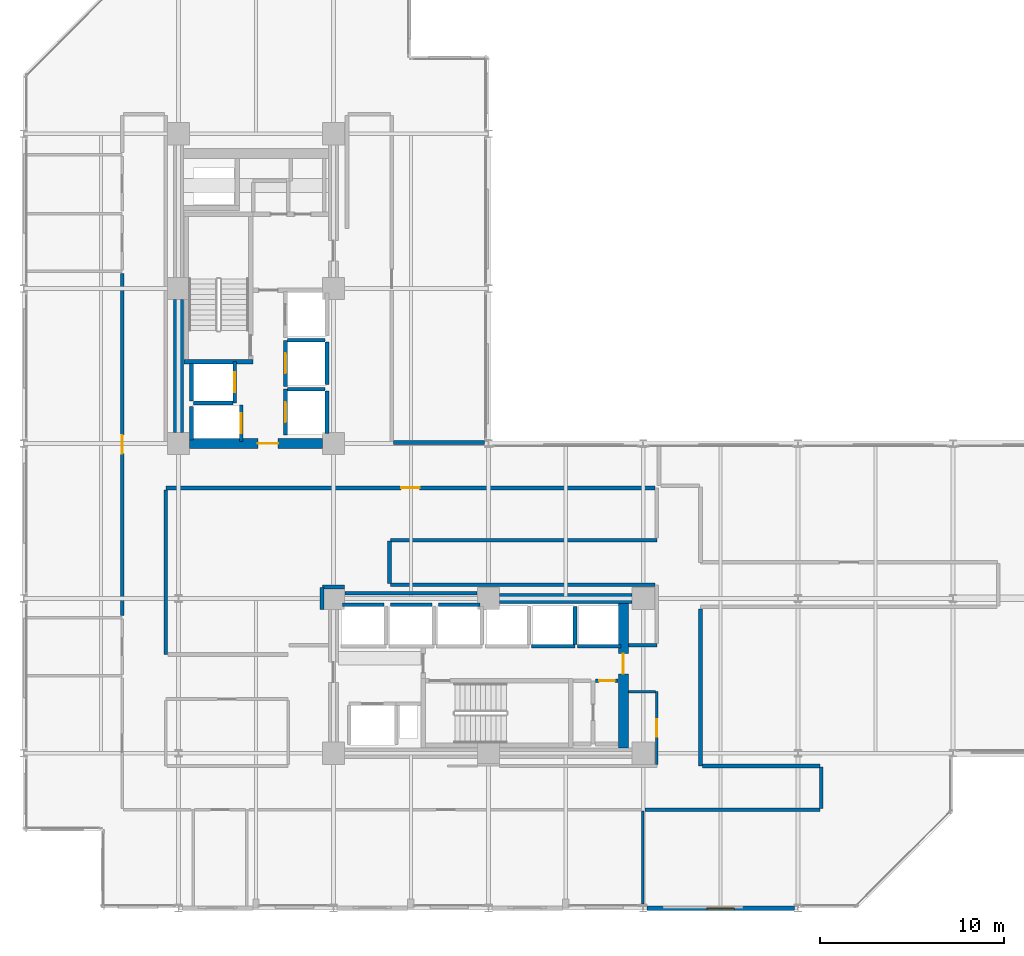
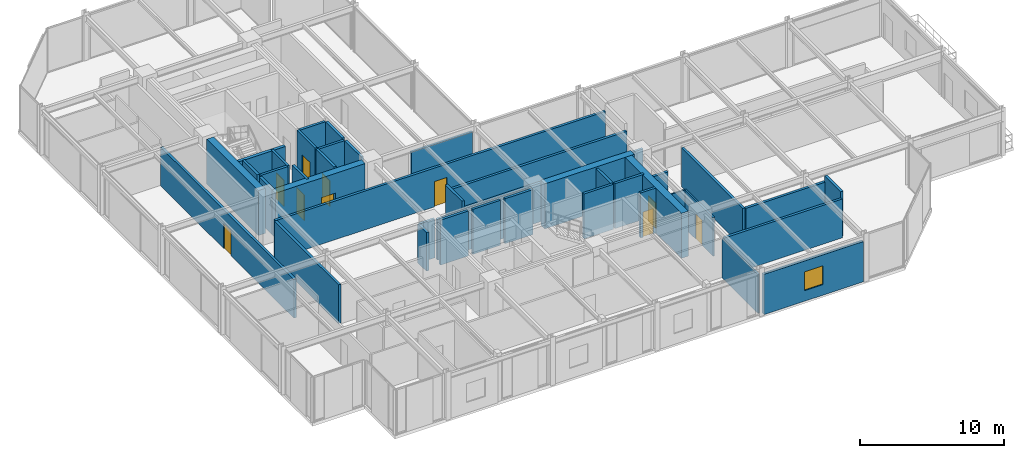
# One storey, part 33 of 38: 42 walls, 10 doors, 1 window, 11 openings.
"""IFC4 building model written with IfcOpenShell, lengths in metres."""

from ifc_helpers import new_model, si_unit, direction, frame, frame_2d, origin, place, context, subcontext, project, spatial, rectangle, extrude, material, layer, layer_set, type_object, element, fill, save


model = new_model("IFC4")

# Units and contexts
model_context = context("Model", 3, precision=1e-05, world=origin(), true_north=direction((0.0, 1.0)))
body_context = subcontext(model_context, "Body", "Model", "MODEL_VIEW")
ifc_project = project(units=[si_unit("LENGTHUNIT", "METRE"), si_unit("AREAUNIT", "SQUARE_METRE"), si_unit("VOLUMEUNIT", "CUBIC_METRE"), si_unit("PLANEANGLEUNIT", "RADIAN"), si_unit("MASSUNIT", "GRAM", prefix="KILO")], contexts=[model_context])

# Site, building, storey
site_placement = place(None, origin())
site = spatial("IfcSite", under=ifc_project, at=site_placement, CompositionType="ELEMENT")
building_placement = place(site_placement, origin())
building = spatial("IfcBuilding", under=site, at=building_placement, Name="Nerrivon Quay Data Exchange", CompositionType="ELEMENT")
storey_placement = place(building_placement, frame((0.0, 0.0, 96.699951171875)))
storey = spatial("IfcBuildingStorey", under=building, at=storey_placement, Name="L22", CompositionType="ELEMENT", Elevation=96.699951171875)

# Wall, opening, window
ifc_material_1 = material(Name="Architectural terracotta precast concrete N50 (50 MPa)", Category="masonry")
ifc_layer_1 = layer(ifc_material_1, 0.239990234375)
ifc_layer_set_1 = layer_set([ifc_layer_1], Name="Architectural terracotta precast concrete N50 (50 MPa)")
wall_type_1 = type_object("IfcWallType", Name="EW-PREC-240", PredefinedType="STANDARD", material=ifc_layer_set_1)
wall_1_placement = place(storey_placement, frame((41.800048828125, 0.0, 0.0), z_axis=(0.0, 0.0, 1.0), x_axis=(-1.0, 0.0, 0.0)))
wall_1 = element("IfcWall", 1, at=wall_1_placement, inside=storey, type_object=wall_type_1, Name="L22 Podium Precast Spandrel Wall 7", PredefinedType="STANDARD", context=body_context, shape_type="SweptSolid", body=[
    extrude(rectangle(XDim=8.0, YDim=0.239990234375, at=frame_2d((4.0, 0.0))), origin(), (0.0, 0.0, 1.0), 3.422119140625),
])
opening_1_placement = place(wall_1_placement, frame((3.25, 0.0, 0.89990234375)))
opening_1 = element("IfcOpeningElement", 2, at=opening_1_placement, cuts=wall_1, Name="Opening WN4", PredefinedType="OPENING", context=body_context, shape_type="SweptSolid", body=[
    extrude(rectangle(XDim=1.5, YDim=1.60009765625, at=frame_2d((0.75, 0.800048828125))), frame((0.0, 0.1298828125, 0.0), z_axis=(0.0, -1.0, 0.0), x_axis=(1.0, 0.0, 0.0)), (0.0, 0.0, 1.0), 0.260009765625),
])
ifc_material_2 = material(Name="Double-glazed low-E solar control glass", Category="glass")
window_type = type_object("IfcWindowType", Name="WIN-W4-1500x1600", PartitioningType="SINGLE_PANEL", PredefinedType="WINDOW", material=ifc_material_2)
window_placement = place(opening_1_placement, origin())
window = element("IfcWindow", 3, at=window_placement, inside=storey, type_object=window_type, Name="L22 Solar Facade Window 7", OverallHeight=1.60009765625, OverallWidth=1.5, PartitioningType="SINGLE_PANEL", PredefinedType="WINDOW", context=body_context, shape_type="SweptSolid", body=[
    extrude(rectangle(XDim=1.5, YDim=1.60009765625, at=frame_2d((0.75, 0.800048828125))), frame((0.0, 0.030029296875, 0.0), z_axis=(0.0, -1.0, 0.0), x_axis=(1.0, 0.0, 0.0)), (0.0, 0.0, 1.0), 0.06005859375),
])
fill(opening_1, window)

# Wall
ifc_material_3 = material(Name="Concrete S65 (65 MPa)", Category="concrete")
ifc_layer_2 = layer(ifc_material_3, 0.550048828125)
ifc_layer_set_2 = layer_set([ifc_layer_2], Name="Concrete S65 (65 MPa)")
wall_type_2 = type_object("IfcWallType", Name="WALL-CW-700", PredefinedType="SHEAR", material=ifc_layer_set_2)
wall_2_placement = place(storey_placement, frame((8.39990234375, 25.800048828125, 0.0), z_axis=(0.0, 0.0, 1.0), x_axis=(0.0, 1.0, 0.0)))
element("IfcWall", 4, at=wall_2_placement, inside=storey, type_object=wall_type_2, Name="L22 West Split-Core Shear Wall WCW-W1", PredefinedType="SHEAR", context=body_context, shape_type="SweptSolid", body=[
    extrude(rectangle(XDim=7.199951171875, YDim=0.550048828125, at=frame_2d((3.60009765625, 0.0))), origin(), (0.0, 0.0, 1.0), 3.824951171875),
])

# Wall, opening, door
wall_3_placement = place(storey_placement, frame((9.0, 25.199951171875, 0.0), z_axis=(0.0, 0.0, 1.0), x_axis=(1.0, 0.0, 0.0)))
wall_3 = element("IfcWall", 5, at=wall_3_placement, inside=storey, type_object=wall_type_2, Name="L22 West Split-Core Shear Wall WCW-S1", PredefinedType="SHEAR", context=body_context, shape_type="SweptSolid", body=[
    extrude(rectangle(XDim=7.199951171875, YDim=0.550048828125, at=frame_2d((3.60009765625, 0.0))), origin(), (0.0, 0.0, 1.0), 3.824951171875),
])
opening_2_placement = place(wall_3_placement, frame((3.699951171875, 0.0, 0.0)))
opening_2 = element("IfcOpeningElement", 6, at=opening_2_placement, cuts=wall_3, Name="Opening FD-120", PredefinedType="OPENING", context=body_context, shape_type="SweptSolid", body=[
    extrude(rectangle(XDim=1.10009765625, YDim=2.14990234375, at=frame_2d((0.550048828125, 1.074951171875))), frame((0.0, 0.284912109375, 0.0), z_axis=(0.0, -1.0, 0.0), x_axis=(1.0, 0.0, 0.0)), (0.0, 0.0, 1.0), 0.570068359375),
])
ifc_material_4 = material(Name="Powder-coated galvanized steel sheet", Category="steel")
door_type_1 = type_object("IfcDoorType", Name="DR-FD120-1100", OperationType="NOTDEFINED", PredefinedType="DOOR", material=ifc_material_4)
door_1_placement = place(opening_2_placement, origin())
door_1 = element("IfcDoor", 7, at=door_1_placement, inside=storey, type_object=door_type_1, Name="L22 West Core Lobby Fire Door", OperationType="SINGLE_SWING_RIGHT", OverallHeight=2.14990234375, OverallWidth=1.10009765625, PredefinedType="DOOR", context=body_context, shape_type="SweptSolid", body=[
    extrude(rectangle(XDim=1.10009765625, YDim=2.14990234375, at=frame_2d((0.550048828125, 1.074951171875))), frame((0.0, 0.02490234375, 0.0), z_axis=(0.0, -1.0, 0.0), x_axis=(1.0, 0.0, 0.0)), (0.0, 0.0, 1.0), 0.050048828125),
])
fill(opening_2, door_1)

wall_4_placement = place(storey_placement, frame((32.52490234375, 8.675048828125, 0.0), z_axis=(0.0, 0.0, 1.0), x_axis=(0.0, 1.0, 0.0)))
wall_4 = element("IfcWall", 8, at=wall_4_placement, inside=storey, type_object=wall_type_2, Name="L22 East Split-Core Shear Wall ECW-E1", PredefinedType="SHEAR", context=body_context, shape_type="SweptSolid", body=[
    extrude(rectangle(XDim=7.849853515625, YDim=0.550048828125, at=frame_2d((3.9248046875, 0.0))), origin(), (0.0, 0.0, 1.0), 3.824951171875),
])
opening_3_placement = place(wall_4_placement, frame((4.02490234375, 0.0, 0.0)))
opening_3 = element("IfcOpeningElement", 9, at=opening_3_placement, cuts=wall_4, Name="Opening FD-120", PredefinedType="OPENING", context=body_context, shape_type="SweptSolid", body=[
    extrude(rectangle(XDim=1.10009765625, YDim=2.14990234375, at=frame_2d((0.550048828125, 1.074951171875))), frame((0.0, 0.284912109375, 0.0), z_axis=(0.0, -1.0, 0.0), x_axis=(1.0, 0.0, 0.0)), (0.0, 0.0, 1.0), 0.570068359375),
])
door_2_placement = place(opening_3_placement, origin())
door_2 = element("IfcDoor", 10, at=door_2_placement, inside=storey, type_object=door_type_1, Name="L22 East Core Lobby Fire Door", OperationType="SINGLE_SWING_LEFT", OverallHeight=2.14990234375, OverallWidth=1.10009765625, PredefinedType="DOOR", context=body_context, shape_type="SweptSolid", body=[
    extrude(rectangle(XDim=1.10009765625, YDim=2.14990234375, at=frame_2d((0.550048828125, 1.074951171875))), frame((0.0, 0.02490234375, 0.0), z_axis=(0.0, -1.0, 0.0), x_axis=(1.0, 0.0, 0.0)), (0.0, 0.0, 1.0), 0.050048828125),
])
fill(opening_3, door_2)

# Wall
wall_5_placement = place(storey_placement, frame((25.800048828125, 16.800048828125, 0.0), z_axis=(0.0, 0.0, 1.0), x_axis=(1.0, 0.0, 0.0)))
element("IfcWall", 11, at=wall_5_placement, inside=storey, type_object=wall_type_2, Name="L22 East Split-Core Shear Wall ECW-N1", PredefinedType="SHEAR", context=body_context, shape_type="SweptSolid", body=[
    extrude(rectangle(XDim=7.199951171875, YDim=0.550048828125, at=frame_2d((3.60009765625, 0.0))), origin(), (0.0, 0.0, 1.0), 3.824951171875),
])

# Wall, opening, door
ifc_material_5 = material(Name="Gypsum plasterboard on cold-formed framing", Category="gypsum")
ifc_layer_3 = layer(ifc_material_5, 0.199951171875)
ifc_layer_set_3 = layer_set([ifc_layer_3], Name="Gypsum plasterboard on cold-formed framing")
wall_type_3 = type_object("IfcWallType", Name="WALL-FW-200", PredefinedType="PARTITIONING", material=ifc_layer_set_3)
wall_6_placement = place(storey_placement, frame((11.449951171875, 27.39990234375, 0.0), z_axis=(0.0, 0.0, 1.0), x_axis=(0.0, 1.0, 0.0)))
wall_6 = element("IfcWall", 12, at=wall_6_placement, inside=storey, type_object=wall_type_3, Name="L22 Lift Front Wall FFL-1", PredefinedType="PARTITIONING", context=body_context, shape_type="SweptSolid", body=[
    extrude(rectangle(XDim=2.25, YDim=0.199951171875, at=frame_2d((1.125, 0.0))), origin(), (0.0, 0.0, 1.0), 3.824951171875),
])
opening_4_placement = place(wall_6_placement, frame((0.574951171875, 0.0, 0.0)))
opening_4 = element("IfcOpeningElement", 13, at=opening_4_placement, cuts=wall_6, Name="Opening LD-120", PredefinedType="OPENING", context=body_context, shape_type="SweptSolid", body=[
    extrude(rectangle(XDim=1.10009765625, YDim=2.199951171875, at=frame_2d((0.550048828125, 1.10009765625))), frame((0.0, 0.10986328125, 0.0), z_axis=(0.0, -1.0, 0.0), x_axis=(1.0, 0.0, 0.0)), (0.0, 0.0, 1.0), 0.219970703125),
])
door_type_2 = type_object("IfcDoorType", Name="DR-LIFT-LD120", OperationType="DOUBLE_DOOR_SLIDING", PredefinedType="DOOR", material=ifc_material_4)
door_3_placement = place(opening_4_placement, origin())
door_3 = element("IfcDoor", 14, at=door_3_placement, inside=storey, type_object=door_type_2, Name="L22 Lift Landing Sliding Door FFL-1", OperationType="DOUBLE_DOOR_SLIDING", OverallHeight=2.199951171875, OverallWidth=1.10009765625, PredefinedType="DOOR", context=body_context, shape_type="SweptSolid", body=[
    extrude(rectangle(XDim=1.10009765625, YDim=2.199951171875, at=frame_2d((0.550048828125, 1.10009765625))), frame((0.0, 0.02490234375, 0.0), z_axis=(0.0, -1.0, 0.0), x_axis=(1.0, 0.0, 0.0)), (0.0, 0.0, 1.0), 0.050048828125),
])
fill(opening_4, door_3)

# Walls
wall_7_placement = place(storey_placement, frame((9.10009765625, 27.5, 0.0), z_axis=(0.0, 0.0, 1.0), x_axis=(0.0, 1.0, 0.0)))
element("IfcWall", 15, at=wall_7_placement, inside=storey, type_object=wall_type_3, Name="L22 Lift Shaft Wall FFL-1 WEST", PredefinedType="PARTITIONING", context=body_context, shape_type="SweptSolid", body=[
    extrude(rectangle(XDim=2.050048828125, YDim=0.199951171875, at=frame_2d((1.02490234375, 0.0))), origin(), (0.0, 0.0, 1.0), 3.824951171875),
])
wall_8_placement = place(storey_placement, frame((9.199951171875, 27.39990234375, 0.0), z_axis=(0.0, 0.0, 1.0), x_axis=(1.0, 0.0, 0.0)))
element("IfcWall", 16, at=wall_8_placement, inside=storey, type_object=wall_type_3, Name="L22 Lift Shaft Wall FFL-1 SOUTH", PredefinedType="PARTITIONING", context=body_context, shape_type="SweptSolid", body=[
    extrude(rectangle(XDim=2.150146484375, YDim=0.199951171875, at=frame_2d((1.0751953125, 0.0))), origin(), (0.0, 0.0, 1.0), 3.824951171875),
])

# Wall, opening, door
wall_9_placement = place(storey_placement, frame((11.800048828125, 25.300048828125, 0.0), z_axis=(0.0, 0.0, 1.0), x_axis=(0.0, 1.0, 0.0)))
wall_9 = element("IfcWall", 17, at=wall_9_placement, inside=storey, type_object=wall_type_3, Name="L22 Lift Front Wall SVL-1", PredefinedType="PARTITIONING", context=body_context, shape_type="SweptSolid", body=[
    extrude(rectangle(XDim=2.0, YDim=0.199951171875, at=frame_2d((1.0, 0.0))), origin(), (0.0, 0.0, 1.0), 3.824951171875),
])
opening_5_placement = place(wall_9_placement, frame((0.449951171875, 0.0, 0.0)))
opening_5 = element("IfcOpeningElement", 18, at=opening_5_placement, cuts=wall_9, Name="Opening LD-120", PredefinedType="OPENING", context=body_context, shape_type="SweptSolid", body=[
    extrude(rectangle(XDim=1.10009765625, YDim=2.199951171875, at=frame_2d((0.550048828125, 1.10009765625))), frame((0.0, 0.10986328125, 0.0), z_axis=(0.0, -1.0, 0.0), x_axis=(1.0, 0.0, 0.0)), (0.0, 0.0, 1.0), 0.219970703125),
])
door_4_placement = place(opening_5_placement, origin())
door_4 = element("IfcDoor", 19, at=door_4_placement, inside=storey, type_object=door_type_2, Name="L22 Lift Landing Sliding Door SVL-1", OperationType="DOUBLE_DOOR_SLIDING", OverallHeight=2.199951171875, OverallWidth=1.10009765625, PredefinedType="DOOR", context=body_context, shape_type="SweptSolid", body=[
    extrude(rectangle(XDim=1.10009765625, YDim=2.199951171875, at=frame_2d((0.550048828125, 1.10009765625))), frame((0.0, 0.02490234375, 0.0), z_axis=(0.0, -1.0, 0.0), x_axis=(1.0, 0.0, 0.0)), (0.0, 0.0, 1.0), 0.050048828125),
])
fill(opening_5, door_4)

# Wall
wall_10_placement = place(storey_placement, frame((9.10009765625, 25.39990234375, 0.0), z_axis=(0.0, 0.0, 1.0), x_axis=(0.0, 1.0, 0.0)))
element("IfcWall", 20, at=wall_10_placement, inside=storey, type_object=wall_type_3, Name="L22 Lift Shaft Wall SVL-1 WEST", PredefinedType="PARTITIONING", context=body_context, shape_type="SweptSolid", body=[
    extrude(rectangle(XDim=1.800048828125, YDim=0.199951171875, at=frame_2d((0.89990234375, 0.0))), origin(), (0.0, 0.0, 1.0), 3.824951171875),
])

# Wall, opening, door
wall_11_placement = place(storey_placement, frame((14.199951171875, 25.64990234375, 0.0), z_axis=(0.0, 0.0, 1.0), x_axis=(0.0, 1.0, 0.0)))
wall_11 = element("IfcWall", 21, at=wall_11_placement, inside=storey, type_object=wall_type_3, Name="L22 Lift Front Wall PL1", PredefinedType="PARTITIONING", context=body_context, shape_type="SweptSolid", body=[
    extrude(rectangle(XDim=2.5, YDim=0.199951171875, at=frame_2d((1.25, 0.0))), origin(), (0.0, 0.0, 1.0), 3.824951171875),
])
opening_6_placement = place(wall_11_placement, frame((0.699951171875, 0.0, 0.0)))
opening_6 = element("IfcOpeningElement", 22, at=opening_6_placement, cuts=wall_11, Name="Opening LD-120", PredefinedType="OPENING", context=body_context, shape_type="SweptSolid", body=[
    extrude(rectangle(XDim=1.10009765625, YDim=2.199951171875, at=frame_2d((0.550048828125, 1.10009765625))), frame((0.0, 0.10986328125, 0.0), z_axis=(0.0, -1.0, 0.0), x_axis=(1.0, 0.0, 0.0)), (0.0, 0.0, 1.0), 0.219970703125),
])
door_5_placement = place(opening_6_placement, origin())
door_5 = element("IfcDoor", 23, at=door_5_placement, inside=storey, type_object=door_type_2, Name="L22 Lift Landing Sliding Door PL1", OperationType="DOUBLE_DOOR_SLIDING", OverallHeight=2.199951171875, OverallWidth=1.10009765625, PredefinedType="DOOR", context=body_context, shape_type="SweptSolid", body=[
    extrude(rectangle(XDim=1.10009765625, YDim=2.199951171875, at=frame_2d((0.550048828125, 1.10009765625))), frame((0.0, 0.02490234375, 0.0), z_axis=(0.0, -1.0, 0.0), x_axis=(1.0, 0.0, 0.0)), (0.0, 0.0, 1.0), 0.050048828125),
])
fill(opening_6, door_5)

# Walls
wall_12_placement = place(storey_placement, frame((16.449951171875, 25.75, 0.0), z_axis=(0.0, 0.0, 1.0), x_axis=(0.0, 1.0, 0.0)))
element("IfcWall", 24, at=wall_12_placement, inside=storey, type_object=wall_type_3, Name="L22 Lift Shaft Wall PL1 EAST", PredefinedType="PARTITIONING", context=body_context, shape_type="SweptSolid", body=[
    extrude(rectangle(XDim=2.300048828125, YDim=0.199951171875, at=frame_2d((1.14990234375, 0.0))), origin(), (0.0, 0.0, 1.0), 3.824951171875),
])
wall_13_placement = place(storey_placement, frame((14.300048828125, 28.14990234375, 0.0), z_axis=(0.0, 0.0, 1.0), x_axis=(1.0, 0.0, 0.0)))
element("IfcWall", 25, at=wall_13_placement, inside=storey, type_object=wall_type_3, Name="L22 Lift Shaft Wall PL1 NORTH", PredefinedType="PARTITIONING", context=body_context, shape_type="SweptSolid", body=[
    extrude(rectangle(XDim=2.050048828125, YDim=0.199951171875, at=frame_2d((1.02490234375, 0.0))), origin(), (0.0, 0.0, 1.0), 3.824951171875),
])

# Wall, opening, door
wall_14_placement = place(storey_placement, frame((14.199951171875, 28.300048828125, 0.0), z_axis=(0.0, 0.0, 1.0), x_axis=(0.0, 1.0, 0.0)))
wall_14 = element("IfcWall", 26, at=wall_14_placement, inside=storey, type_object=wall_type_3, Name="L22 Lift Front Wall PL2", PredefinedType="PARTITIONING", context=body_context, shape_type="SweptSolid", body=[
    extrude(rectangle(XDim=2.5, YDim=0.199951171875, at=frame_2d((1.25, 0.0))), origin(), (0.0, 0.0, 1.0), 3.824951171875),
])
opening_7_placement = place(wall_14_placement, frame((0.699951171875, 0.0, 0.0)))
opening_7 = element("IfcOpeningElement", 27, at=opening_7_placement, cuts=wall_14, Name="Opening LD-120", PredefinedType="OPENING", context=body_context, shape_type="SweptSolid", body=[
    extrude(rectangle(XDim=1.10009765625, YDim=2.199951171875, at=frame_2d((0.550048828125, 1.10009765625))), frame((0.0, 0.10986328125, 0.0), z_axis=(0.0, -1.0, 0.0), x_axis=(1.0, 0.0, 0.0)), (0.0, 0.0, 1.0), 0.219970703125),
])
door_6_placement = place(opening_7_placement, origin())
door_6 = element("IfcDoor", 28, at=door_6_placement, inside=storey, type_object=door_type_2, Name="L22 Lift Landing Sliding Door PL2", OperationType="DOUBLE_DOOR_SLIDING", OverallHeight=2.199951171875, OverallWidth=1.10009765625, PredefinedType="DOOR", context=body_context, shape_type="SweptSolid", body=[
    extrude(rectangle(XDim=1.10009765625, YDim=2.199951171875, at=frame_2d((0.550048828125, 1.10009765625))), frame((0.0, 0.02490234375, 0.0), z_axis=(0.0, -1.0, 0.0), x_axis=(1.0, 0.0, 0.0)), (0.0, 0.0, 1.0), 0.050048828125),
])
fill(opening_7, door_6)

# Walls
wall_15_placement = place(storey_placement, frame((16.449951171875, 28.39990234375, 0.0), z_axis=(0.0, 0.0, 1.0), x_axis=(0.0, 1.0, 0.0)))
element("IfcWall", 29, at=wall_15_placement, inside=storey, type_object=wall_type_3, Name="L22 Lift Shaft Wall PL2 EAST", PredefinedType="PARTITIONING", context=body_context, shape_type="SweptSolid", body=[
    extrude(rectangle(XDim=2.300048828125, YDim=0.199951171875, at=frame_2d((1.14990234375, 0.0))), origin(), (0.0, 0.0, 1.0), 3.824951171875),
])
wall_16_placement = place(storey_placement, frame((14.300048828125, 30.800048828125, 0.0), z_axis=(0.0, 0.0, 1.0), x_axis=(1.0, 0.0, 0.0)))
element("IfcWall", 30, at=wall_16_placement, inside=storey, type_object=wall_type_3, Name="L22 Lift Shaft Wall PL2 NORTH", PredefinedType="PARTITIONING", context=body_context, shape_type="SweptSolid", body=[
    extrude(rectangle(XDim=2.050048828125, YDim=0.199951171875, at=frame_2d((1.02490234375, 0.0))), origin(), (0.0, 0.0, 1.0), 3.824951171875),
])
for number, where, z_axis, x_axis, name in (
    (31, (17.300048828125, 16.449951171875, 0.0), (0.0, 0.0, 1.0), (1.0, 0.0, 0.0), "L22 Lift Shaft Wall PL4 NORTH"),
    (32, (19.89990234375, 16.449951171875, 0.0), (0.0, 0.0, 1.0), (1.0, 0.0, 0.0), "L22 Lift Shaft Wall PL5 NORTH"),
    (33, (22.5, 16.449951171875, 0.0), (0.0, 0.0, 1.0), (1.0, 0.0, 0.0), "L22 Lift Shaft Wall PL6 NORTH"),
):
    element("IfcWall", number, at=place(storey_placement, frame(where, z_axis=z_axis, x_axis=x_axis)), inside=storey, type_object=wall_type_3, Name=name, PredefinedType="PARTITIONING", context=body_context, shape_type="SweptSolid", body=[
        extrude(rectangle(XDim=2.25, YDim=0.199951171875, at=frame_2d((1.125, 0.0))), origin(), (0.0, 0.0, 1.0), 3.824951171875),
    ])
wall_17_placement = place(storey_placement, frame((27.550048828125, 14.199951171875, 0.0), z_axis=(0.0, 0.0, 1.0), x_axis=(1.0, 0.0, 0.0)))
element("IfcWall", 34, at=wall_17_placement, inside=storey, type_object=wall_type_3, Name="L22 Lift Front Wall PL8", PredefinedType="PARTITIONING", context=body_context, shape_type="SweptSolid", body=[
    extrude(rectangle(XDim=2.349853515625, YDim=0.199951171875, at=frame_2d((1.1748046875, 0.0))), origin(), (0.0, 0.0, 1.0), 3.824951171875),
])
wall_18_placement = place(storey_placement, frame((29.89990234375, 14.300048828125, 0.0), z_axis=(0.0, 0.0, 1.0), x_axis=(0.0, 1.0, 0.0)))
element("IfcWall", 35, at=wall_18_placement, inside=storey, type_object=wall_type_3, Name="L22 Lift Shaft Wall PL8 EAST", PredefinedType="PARTITIONING", context=body_context, shape_type="SweptSolid", body=[
    extrude(rectangle(XDim=2.050048828125, YDim=0.199951171875, at=frame_2d((1.02490234375, 0.0))), origin(), (0.0, 0.0, 1.0), 3.824951171875),
])
wall_19_placement = place(storey_placement, frame((30.050048828125, 14.199951171875, 0.0), z_axis=(0.0, 0.0, 1.0), x_axis=(1.0, 0.0, 0.0)))
element("IfcWall", 36, at=wall_19_placement, inside=storey, type_object=wall_type_3, Name="L22 Lift Front Wall PL9", PredefinedType="PARTITIONING", context=body_context, shape_type="SweptSolid", body=[
    extrude(rectangle(XDim=2.349853515625, YDim=0.199951171875, at=frame_2d((1.1748046875, 0.0))), origin(), (0.0, 0.0, 1.0), 3.824951171875),
])

# Wall, opening, door
wall_20_placement = place(storey_placement, frame((32.24609375, 12.330078125, 0.0), z_axis=(0.0, 0.0, 1.0), x_axis=(-1.0, 0.0, 0.0)))
wall_20 = element("IfcWall", 37, at=wall_20_placement, inside=storey, type_object=wall_type_3, Name="L22 Partition East Cleaners Store", PredefinedType="PARTITIONING", context=body_context, shape_type="SweptSolid", body=[
    extrude(rectangle(XDim=1.22607421875, YDim=0.199951171875, at=frame_2d((0.613037109375, 0.0))), origin(), (0.0, 0.0, 1.0), 3.824951171875),
])
opening_8_placement = place(wall_20_placement, frame((0.18798828125, 0.0, 0.0)))
opening_8 = element("IfcOpeningElement", 38, at=opening_8_placement, cuts=wall_20, Name="Opening FD-60S", PredefinedType="OPENING", context=body_context, shape_type="SweptSolid", body=[
    extrude(rectangle(XDim=0.85009765625, YDim=2.14990234375, at=frame_2d((0.425048828125, 1.074951171875))), frame((0.0, 0.10986328125, 0.0), z_axis=(0.0, -1.0, 0.0), x_axis=(1.0, 0.0, 0.0)), (0.0, 0.0, 1.0), 0.219970703125),
])
ifc_material_6 = material(Name="Engineered hardwood timber", Category="wood")
door_type_3 = type_object("IfcDoorType", Name="DR-FD60-850", OperationType="NOTDEFINED", PredefinedType="DOOR", material=ifc_material_6)
door_7_placement = place(opening_8_placement, origin())
door_7 = element("IfcDoor", 39, at=door_7_placement, inside=storey, type_object=door_type_3, Name="L22 Door East Cleaners Store", OperationType="SINGLE_SWING_RIGHT", OverallHeight=2.14990234375, OverallWidth=0.85009765625, PredefinedType="DOOR", context=body_context, shape_type="SweptSolid", body=[
    extrude(rectangle(XDim=0.85009765625, YDim=2.14990234375, at=frame_2d((0.425048828125, 1.074951171875))), frame((0.0, 0.02490234375, 0.0), z_axis=(0.0, -1.0, 0.0), x_axis=(1.0, 0.0, 0.0)), (0.0, 0.0, 1.0), 0.050048828125),
])
fill(opening_8, door_7)

wall_21_placement = place(storey_placement, frame((5.340087890625, 15.8701171875, 0.0), z_axis=(0.0, 0.0, 1.0), x_axis=(0.0, 1.0, 0.0)))
wall_21 = element("IfcWall", 40, at=wall_21_placement, inside=storey, type_object=wall_type_3, Name="L22 Partition Colocation Data Workspace 1", PredefinedType="PARTITIONING", context=body_context, shape_type="SweptSolid", body=[
    extrude(rectangle(XDim=18.559814453125, YDim=0.199951171875, at=frame_2d((9.27978515625, 0.0))), origin(), (0.0, 0.0, 1.0), 3.2919921875),
])
opening_9_placement = place(wall_21_placement, frame((8.780029296875, 0.0, 0.0)))
opening_9 = element("IfcOpeningElement", 41, at=opening_9_placement, cuts=wall_21, Name="Opening FD-60", PredefinedType="OPENING", context=body_context, shape_type="SweptSolid", body=[
    extrude(rectangle(XDim=1.0, YDim=2.14990234375, at=frame_2d((0.5, 1.074951171875))), frame((0.0, 0.10986328125, 0.0), z_axis=(0.0, -1.0, 0.0), x_axis=(1.0, 0.0, 0.0)), (0.0, 0.0, 1.0), 0.219970703125),
])
door_type_4 = type_object("IfcDoorType", Name="DR-FD60-1000", OperationType="NOTDEFINED", PredefinedType="DOOR", material=ifc_material_6)
door_8_placement = place(opening_9_placement, origin())
door_8 = element("IfcDoor", 42, at=door_8_placement, inside=storey, type_object=door_type_4, Name="L22 Door Colocation Data Workspace 1", OperationType="SINGLE_SWING_RIGHT", OverallHeight=2.14990234375, OverallWidth=1.0, PredefinedType="DOOR", context=body_context, shape_type="SweptSolid", body=[
    extrude(rectangle(XDim=1.0, YDim=2.14990234375, at=frame_2d((0.5, 1.074951171875))), frame((0.0, 0.02490234375, 0.0), z_axis=(0.0, -1.0, 0.0), x_axis=(1.0, 0.0, 0.0)), (0.0, 0.0, 1.0), 0.050048828125),
])
fill(opening_9, door_8)

# Walls
wall_22_placement = place(storey_placement, frame((32.803955078125, 14.260009765625, 0.0), z_axis=(0.0, 0.0, 1.0), x_axis=(1.0, 0.0, 0.0)))
element("IfcWall", 43, at=wall_22_placement, inside=storey, type_object=wall_type_3, Name="L22 Partition Colocation Data Workspace 6", PredefinedType="PARTITIONING", context=body_context, shape_type="SweptSolid", body=[
    extrude(rectangle(XDim=1.5361328125, YDim=0.199951171875, at=frame_2d((0.76806640625, 0.0))), origin(), (0.0, 0.0, 1.0), 3.297119140625),
])
wall_23_placement = place(storey_placement, frame((34.236083984375, 17.5400390625, 0.0), z_axis=(0.0, 0.0, 1.0), x_axis=(-1.0, 0.0, 0.0)))
element("IfcWall", 44, at=wall_23_placement, inside=storey, type_object=wall_type_3, Name="L22 Partition Colocation Data Workspace 6", PredefinedType="PARTITIONING", context=body_context, shape_type="SweptSolid", body=[
    extrude(rectangle(XDim=14.336181640625, YDim=0.199951171875, at=frame_2d((7.16796875, 0.0))), origin(), (0.0, 0.0, 1.0), 3.297119140625),
])
wall_24_placement = place(storey_placement, frame((19.840087890625, 17.60009765625, 0.0), z_axis=(0.0, 0.0, 1.0), x_axis=(0.0, 1.0, 0.0)))
element("IfcWall", 45, at=wall_24_placement, inside=storey, type_object=wall_type_3, Name="L22 Partition Colocation Data Workspace 6", PredefinedType="PARTITIONING", context=body_context, shape_type="SweptSolid", body=[
    extrude(rectangle(XDim=2.2998046875, YDim=0.199951171875, at=frame_2d((1.14990234375, 0.0))), origin(), (0.0, 0.0, 1.0), 3.824951171875),
])
wall_25_placement = place(storey_placement, frame((19.89990234375, 19.9599609375, 0.0), z_axis=(0.0, 0.0, 1.0), x_axis=(1.0, 0.0, 0.0)))
element("IfcWall", 46, at=wall_25_placement, inside=storey, type_object=wall_type_3, Name="L22 Partition Colocation Data Workspace 6", PredefinedType="PARTITIONING", context=body_context, shape_type="SweptSolid", body=[
    extrude(rectangle(XDim=14.440185546875, YDim=0.199951171875, at=frame_2d((7.22021484375, 0.0))), origin(), (0.0, 0.0, 1.0), 3.297119140625),
])

# Wall, opening, door
wall_26_placement = place(storey_placement, frame((34.236083984375, 22.7900390625, 0.0), z_axis=(0.0, 0.0, 1.0), x_axis=(-1.0, 0.0, 0.0)))
wall_26 = element("IfcWall", 47, at=wall_26_placement, inside=storey, type_object=wall_type_3, Name="L22 Partition Colocation Data Workspace 6", PredefinedType="PARTITIONING", context=body_context, shape_type="SweptSolid", body=[
    extrude(rectangle(XDim=26.526123046875, YDim=0.199951171875, at=frame_2d((13.26318359375, 0.0))), origin(), (0.0, 0.0, 1.0), 3.297119140625),
])
opening_10_placement = place(wall_26_placement, frame((12.762939453125, 0.0, 0.0)))
opening_10 = element("IfcOpeningElement", 48, at=opening_10_placement, cuts=wall_26, Name="Opening FD-60", PredefinedType="OPENING", context=body_context, shape_type="SweptSolid", body=[
    extrude(rectangle(XDim=1.0, YDim=2.14990234375, at=frame_2d((0.5, 1.074951171875))), frame((0.0, 0.10986328125, 0.0), z_axis=(0.0, -1.0, 0.0), x_axis=(1.0, 0.0, 0.0)), (0.0, 0.0, 1.0), 0.219970703125),
])
door_9_placement = place(opening_10_placement, origin())
door_9 = element("IfcDoor", 49, at=door_9_placement, inside=storey, type_object=door_type_4, Name="L22 Door Colocation Data Workspace 6", OperationType="SINGLE_SWING_RIGHT", OverallHeight=2.14990234375, OverallWidth=1.0, PredefinedType="DOOR", context=body_context, shape_type="SweptSolid", body=[
    extrude(rectangle(XDim=1.0, YDim=2.14990234375, at=frame_2d((0.5, 1.074951171875))), frame((0.0, 0.02490234375, 0.0), z_axis=(0.0, -1.0, 0.0), x_axis=(1.0, 0.0, 0.0)), (0.0, 0.0, 1.0), 0.050048828125),
])
fill(opening_10, door_9)

# Walls
wall_27_placement = place(storey_placement, frame((7.7099609375, 22.68603515625, 0.0), z_axis=(0.0, 0.0, 1.0), x_axis=(0.0, -1.0, 0.0)))
element("IfcWall", 50, at=wall_27_placement, inside=storey, type_object=wall_type_3, Name="L22 Partition Colocation Data Workspace 6", PredefinedType="PARTITIONING", context=body_context, shape_type="SweptSolid", body=[
    extrude(rectangle(XDim=8.926025390625, YDim=0.199951171875, at=frame_2d((4.462890625, 0.0))), origin(), (0.0, 0.0, 1.0), 3.2919921875),
])
wall_28_placement = place(storey_placement, frame((16.180908203125, 16.194091796875, 0.0), z_axis=(0.0, 0.0, 1.0), x_axis=(-0.000809880277, 0.999999672047, 0.0)))
element("IfcWall", 51, at=wall_28_placement, inside=storey, type_object=wall_type_3, Name="L22 Partition Colocation Data Workspace 6", PredefinedType="PARTITIONING", context=body_context, shape_type="SweptSolid", body=[
    extrude(rectangle(XDim=1.205810546875, YDim=0.199951171875, at=frame_2d((0.60302734375, 0.0))), origin(), (0.0, 0.0, 1.0), 3.2919921875),
])
wall_29_placement = place(storey_placement, frame((16.196044921875, 17.419677734375, 0.0), z_axis=(0.0, 0.0, 1.0), x_axis=(0.99999991854, -0.000403632661, 0.0)))
element("IfcWall", 52, at=wall_29_placement, inside=storey, type_object=wall_type_3, Name="L22 Partition Colocation Data Workspace 6", PredefinedType="PARTITIONING", context=body_context, shape_type="SweptSolid", body=[
    extrude(rectangle(XDim=1.209716796875, YDim=0.199951171875, at=frame_2d((0.60498046875, 0.0))), origin(), (0.0, 0.0, 1.0), 3.297119140625),
])
wall_30_placement = place(storey_placement, frame((17.419921875, 17.074951171875, 0.0), z_axis=(0.0, 0.0, 1.0), x_axis=(1.0, 0.0, 0.0)))
element("IfcWall", 53, at=wall_30_placement, inside=storey, type_object=wall_type_3, Name="L22 Partition Colocation Data Workspace 6", PredefinedType="PARTITIONING", context=body_context, shape_type="SweptSolid", body=[
    extrude(rectangle(XDim=7.16015625, YDim=0.199951171875, at=frame_2d((3.580078125, 0.0))), origin(), (0.0, 0.0, 1.0), 3.468994140625),
])
wall_31_placement = place(storey_placement, frame((20.06396484375, 25.260009765625, 0.0), z_axis=(0.0, 0.0, 1.0), x_axis=(1.0, 0.0, 0.0)))
element("IfcWall", 54, at=wall_31_placement, inside=storey, type_object=wall_type_3, Name="L22 Partition Colocation Data Workspace 7", PredefinedType="PARTITIONING", context=body_context, shape_type="SweptSolid", body=[
    extrude(rectangle(XDim=4.916015625, YDim=0.199951171875, at=frame_2d((2.4580078125, 0.0))), origin(), (0.0, 0.0, 1.0), 3.2919921875),
])
wall_32_placement = place(storey_placement, frame((36.7099609375, 16.236083984375, 0.0), z_axis=(0.0, 0.0, 1.0), x_axis=(0.0, -1.0, 0.0)))
element("IfcWall", 55, at=wall_32_placement, inside=storey, type_object=wall_type_3, Name="L22 Partition Colocation Data Workspace 8", PredefinedType="PARTITIONING", context=body_context, shape_type="SweptSolid", body=[
    extrude(rectangle(XDim=8.526123046875, YDim=0.199951171875, at=frame_2d((4.26318359375, 0.0))), origin(), (0.0, 0.0, 1.0), 3.2919921875),
])
wall_33_placement = place(storey_placement, frame((36.81396484375, 7.7099609375, 0.0), z_axis=(0.0, 0.0, 1.0), x_axis=(1.0, 0.0, 0.0)))
element("IfcWall", 56, at=wall_33_placement, inside=storey, type_object=wall_type_3, Name="L22 Partition Colocation Data Workspace 8", PredefinedType="PARTITIONING", context=body_context, shape_type="SweptSolid", body=[
    extrude(rectangle(XDim=6.385986328125, YDim=0.199951171875, at=frame_2d((3.19287109375, 0.0))), origin(), (0.0, 0.0, 1.0), 3.297119140625),
])
wall_34_placement = place(storey_placement, frame((43.260009765625, 7.64990234375, 0.0), z_axis=(0.0, 0.0, 1.0), x_axis=(0.0, -1.0, 0.0)))
element("IfcWall", 57, at=wall_34_placement, inside=storey, type_object=wall_type_3, Name="L22 Partition Colocation Data Workspace 8", PredefinedType="PARTITIONING", context=body_context, shape_type="SweptSolid", body=[
    extrude(rectangle(XDim=2.25, YDim=0.199951171875, at=frame_2d((1.125, 0.0))), origin(), (0.0, 0.0, 1.0), 3.824951171875),
])
wall_35_placement = place(storey_placement, frame((43.199951171875, 5.340087890625, 0.0), z_axis=(0.0, 0.0, 1.0), x_axis=(-1.0, 0.0, 0.0)))
element("IfcWall", 58, at=wall_35_placement, inside=storey, type_object=wall_type_3, Name="L22 Partition Colocation Data Workspace 8", PredefinedType="PARTITIONING", context=body_context, shape_type="SweptSolid", body=[
    extrude(rectangle(XDim=9.493408203125, YDim=0.199951171875, at=frame_2d((4.74658203125, 0.0))), origin(), (0.0, 0.0, 1.0), 3.297119140625),
])
ifc_layer_4 = layer(ifc_material_5, 0.1201171875)
ifc_layer_set_4 = layer_set([ifc_layer_4], Name="Gypsum plasterboard on cold-formed framing")
wall_type_4 = type_object("IfcWallType", Name="WALL-PT-120", PredefinedType="PARTITIONING", material=ifc_layer_set_4)
wall_36_placement = place(storey_placement, frame((34.2685546875, 11.739990234375, 0.0), z_axis=(0.0, 0.0, 1.0), x_axis=(-1.0, 0.0, 0.0)))
element("IfcWall", 59, at=wall_36_placement, inside=storey, type_object=wall_type_4, Name="L22 Partition Staff Pantry", PredefinedType="PARTITIONING", context=body_context, shape_type="SweptSolid", body=[
    extrude(rectangle(XDim=1.464599609375, YDim=0.1201171875, at=frame_2d((0.732421875, 0.0))), origin(), (0.0, 0.0, 1.0), 3.297119140625),
])

# Wall, opening, door
ifc_layer_5 = layer(ifc_material_5, 0.135009765625)
ifc_layer_set_5 = layer_set([ifc_layer_5], Name="Gypsum plasterboard on cold-formed framing")
wall_type_5 = type_object("IfcWallType", Name="WALL-PT-135", PredefinedType="PARTITIONING", material=ifc_layer_set_5)
wall_37_placement = place(storey_placement, frame((34.340087890625, 7.7890625, 0.0), z_axis=(0.0, 0.0, 1.0), x_axis=(0.0, 1.0, 0.0)))
wall_37 = element("IfcWall", 60, at=wall_37_placement, inside=storey, type_object=wall_type_5, Name="L22 Partition Staff Pantry", PredefinedType="PARTITIONING", context=body_context, shape_type="SweptSolid", body=[
    extrude(rectangle(XDim=3.950927734375, YDim=0.135009765625, at=frame_2d((1.9755859375, 0.0))), origin(), (0.0, 0.0, 1.0), 3.2919921875),
])
opening_11_placement = place(wall_37_placement, frame((1.50048828125, 0.0, 0.0)))
opening_11 = element("IfcOpeningElement", 61, at=opening_11_placement, cuts=wall_37, Name="Opening D-01", PredefinedType="OPENING", context=body_context, shape_type="SweptSolid", body=[
    extrude(rectangle(XDim=0.949951171875, YDim=2.14990234375, at=frame_2d((0.47509765625, 1.074951171875))), frame((0.0, 0.077392578125, 0.0), z_axis=(0.0, -1.0, 0.0), x_axis=(1.0, 0.0, 0.0)), (0.0, 0.0, 1.0), 0.155029296875),
])
door_type_5 = type_object("IfcDoorType", Name="DR-INT-950", OperationType="NOTDEFINED", PredefinedType="DOOR", material=ifc_material_6)
door_10_placement = place(opening_11_placement, origin())
door_10 = element("IfcDoor", 62, at=door_10_placement, inside=storey, type_object=door_type_5, Name="L22 Door Staff Pantry", OperationType="SINGLE_SWING_LEFT", OverallHeight=2.14990234375, OverallWidth=0.949951171875, PredefinedType="DOOR", context=body_context, shape_type="SweptSolid", body=[
    extrude(rectangle(XDim=0.949951171875, YDim=2.14990234375, at=frame_2d((0.47509765625, 1.074951171875))), frame((0.0, 0.02490234375, 0.0), z_axis=(0.0, -1.0, 0.0), x_axis=(1.0, 0.0, 0.0)), (0.0, 0.0, 1.0), 0.050048828125),
])
fill(opening_11, door_10)

# Walls
wall_38_placement = place(storey_placement, frame((33.586669921875, 0.219970703125, 0.0), z_axis=(0.0, 0.0, 1.0), x_axis=(0.0, 1.0, 0.0)))
element("IfcWall", 63, at=wall_38_placement, inside=storey, type_object=wall_type_5, Name="L22 Partition Optical Engineering Studios Workspace", PredefinedType="PARTITIONING", context=body_context, shape_type="SweptSolid", body=[
    extrude(rectangle(XDim=5.041015625, YDim=0.135009765625, at=frame_2d((2.5205078125, 0.0))), origin(), (0.0, 0.0, 1.0), 3.297119140625),
])
ifc_material_7 = material(Name="Concrete N50 (50 MPa)", Category="concrete")
ifc_layer_6 = layer(ifc_material_7, 0.25)
ifc_layer_set_6 = layer_set([ifc_layer_6], Name="Concrete N50 (50 MPa)")
wall_type_6 = type_object("IfcWallType", Name="WALL-SW-250", PredefinedType="SHEAR", material=ifc_layer_set_6)
wall_39_placement = place(storey_placement, frame((12.449951171875, 29.625, 0.0), z_axis=(0.0, 0.0, 1.0), x_axis=(-1.0, 0.0, 0.0)))
element("IfcWall", 64, at=wall_39_placement, inside=storey, type_object=wall_type_6, Name="L22 ST01 Structural Stair Core Wall NEAR", PredefinedType="SHEAR", context=body_context, shape_type="SweptSolid", body=[
    extrude(rectangle(XDim=3.75, YDim=0.25, at=frame_2d((1.875, 0.0))), origin(), (0.0, 0.0, 1.0), 3.824951171875),
])

save(model, "model.ifc")
